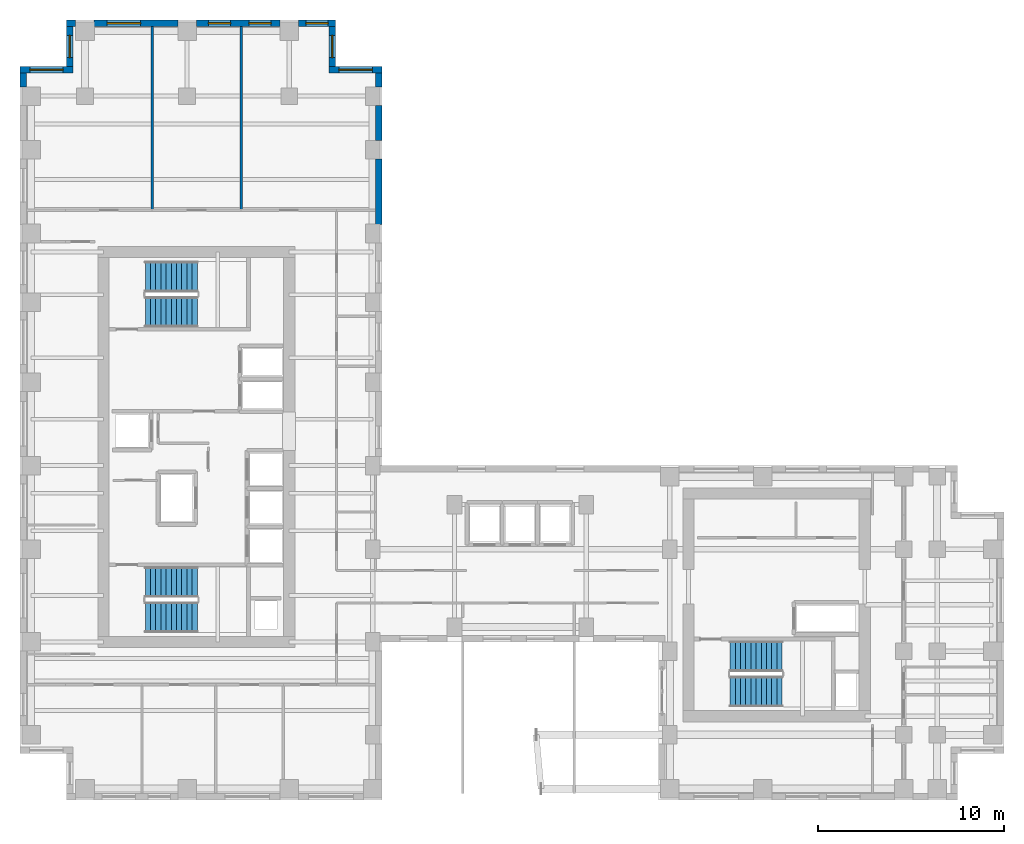
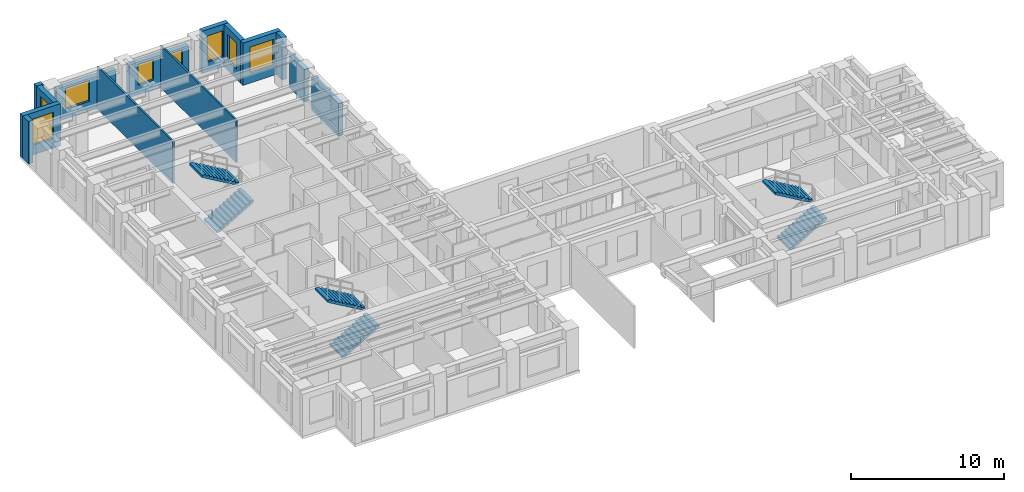
# One storey, part 11 of 13: 14 walls, 8 windows, 6 stair flights, 8 openings, 3 elements without a shape of their own.
"""IFC4 building model written with IfcOpenShell, lengths in metres."""

from ifc_helpers import new_model, si_unit, direction, frame, frame_2d, origin, place, context, subcontext, project, spatial, polyline, rectangle, outline, extrude, source, transform, mapped, material, layer, layer_set, type_object, element, fill, aggregate, save


model = new_model("IFC4")

# Units and contexts
model_context = context("Model", 3, precision=1e-05, world=origin(), true_north=direction((0.0, 1.0)))
body_context = subcontext(model_context, "Body", "Model", "MODEL_VIEW")
ifc_project = project(units=[si_unit("LENGTHUNIT", "METRE"), si_unit("AREAUNIT", "SQUARE_METRE"), si_unit("VOLUMEUNIT", "CUBIC_METRE"), si_unit("PLANEANGLEUNIT", "RADIAN"), si_unit("MASSUNIT", "GRAM", prefix="KILO")], contexts=[model_context])

# Site, building, storey
site_placement = place(None, origin())
site = spatial("IfcSite", under=ifc_project, at=site_placement, CompositionType="ELEMENT")
building_placement = place(site_placement, origin())
building = spatial("IfcBuilding", under=site, at=building_placement, Name="Kharzan Plaza Tower", CompositionType="ELEMENT")
storey_placement = place(building_placement, frame((0.0, 0.0, 175.5)))
storey = spatial("IfcBuildingStorey", under=building, at=storey_placement, Name="L47", CompositionType="ELEMENT", Elevation=175.5)

# Wall, opening, window
ifc_material_1 = material(Name="Concrete C40/50", Category="concrete")
ifc_layer_1 = layer(ifc_material_1, 0.35009765625)
ifc_layer_set_1 = layer_set([ifc_layer_1], Name="Concrete C40/50")
wall_type_1 = type_object("IfcWallType", Name="WL-EXT-MAS-Z3", PredefinedType="SOLIDWALL", material=ifc_layer_set_1)
wall_1_placement = place(storey_placement, frame((19.5, 39.324951171875, 0.0), z_axis=(0.0, 0.0, 1.0), x_axis=(-1.0, 0.0, 0.0)))
wall_1 = element("IfcWall", 1, at=wall_1_placement, inside=storey, type_object=wall_type_1, Name="L47 Masonry-Frame Exterior Wall 01", PredefinedType="SOLIDWALL", context=body_context, shape_type="SweptSolid", body=[
    extrude(rectangle(XDim=2.85009765625, YDim=0.35009765625, at=frame_2d((1.425048828125, 0.0))), origin(), (0.0, 0.0, 1.0), 3.385009765625),
])
opening_1_placement = place(wall_1_placement, frame((0.52490234375, 0.0, 0.780029296875)))
opening_1 = element("IfcOpeningElement", 2, at=opening_1_placement, cuts=wall_1, Name="Opening W1", PredefinedType="OPENING", context=body_context, shape_type="SweptSolid", body=[
    extrude(rectangle(XDim=1.800048828125, YDim=2.10009765625, at=frame_2d((0.89990234375, 1.050048828125))), frame((0.0, 0.18505859375, 0.0), z_axis=(0.0, -1.0, 0.0), x_axis=(1.0, 0.0, 0.0)), (0.0, 0.0, 1.0), 0.3701171875),
])
ifc_material_2 = material(Name="Low-E Double Glazing", Category="glass")
window_type_1 = type_object("IfcWindowType", Name="WN-REC-1800x2100", PartitioningType="SINGLE_PANEL", PredefinedType="WINDOW", material=ifc_material_2)
shared_shape_1 = source(origin(), body_context, "Body", "SweptSolid", [
    extrude(rectangle(XDim=1.800048828125, YDim=2.10009765625, at=frame_2d((0.89990234375, 1.050048828125))), frame((0.0, 0.030029296875, 0.0), z_axis=(0.0, -1.0, 0.0), x_axis=(1.0, 0.0, 0.0)), (0.0, 0.0, 1.0), 0.06005859375),
])
window_1_placement = place(opening_1_placement, origin())
window_1 = element("IfcWindow", 3, at=window_1_placement, inside=storey, type_object=window_type_1, Name="L47 Recessed Solar-Control Window 01-1", OverallHeight=2.10009765625, OverallWidth=1.800048828125, PartitioningType="SINGLE_PANEL", PredefinedType="WINDOW", context=body_context, shape_type="MappedRepresentation", body=[
    mapped(shared_shape_1, transform((0.0, 0.0, 0.0), x_axis=(1.0, 0.0, 0.0), y_axis=(0.0, 1.0, 0.0), z_axis=(0.0, 0.0, 1.0))),
])
fill(opening_1, window_1)

wall_2_placement = place(storey_placement, frame((16.824951171875, 39.498046875, 0.0), z_axis=(0.0, 0.0, 1.0), x_axis=(0.0, 1.0, 0.0)))
wall_2 = element("IfcWall", 4, at=wall_2_placement, inside=storey, type_object=wall_type_1, Name="L47 Masonry-Frame Exterior Wall 02", PredefinedType="SOLIDWALL", context=body_context, shape_type="SweptSolid", body=[
    extrude(rectangle(XDim=2.154052734375, YDim=0.35009765625, at=frame_2d((1.0771484375, 0.0))), origin(), (0.0, 0.0, 1.0), 3.385009765625),
])
opening_2_placement = place(wall_2_placement, frame((0.47705078125, 0.0, 0.780029296875)))
opening_2 = element("IfcOpeningElement", 5, at=opening_2_placement, cuts=wall_2, Name="Opening W3", PredefinedType="OPENING", context=body_context, shape_type="SweptSolid", body=[
    extrude(rectangle(XDim=1.199951171875, YDim=2.10009765625, at=frame_2d((0.60009765625, 1.050048828125))), frame((0.0, 0.18505859375, 0.0), z_axis=(0.0, -1.0, 0.0), x_axis=(1.0, 0.0, 0.0)), (0.0, 0.0, 1.0), 0.3701171875),
])
window_type_2 = type_object("IfcWindowType", Name="WN-REC-1200x2100", PartitioningType="SINGLE_PANEL", PredefinedType="WINDOW", material=ifc_material_2)
shared_shape_2 = source(origin(), body_context, "Body", "SweptSolid", [
    extrude(rectangle(XDim=1.199951171875, YDim=2.10009765625, at=frame_2d((0.60009765625, 1.050048828125))), frame((0.0, 0.030029296875, 0.0), z_axis=(0.0, -1.0, 0.0), x_axis=(1.0, 0.0, 0.0)), (0.0, 0.0, 1.0), 0.06005859375),
])
window_2_placement = place(opening_2_placement, origin())
window_2 = element("IfcWindow", 6, at=window_2_placement, inside=storey, type_object=window_type_2, Name="L47 Recessed Solar-Control Window 02-1", OverallHeight=2.10009765625, OverallWidth=1.199951171875, PartitioningType="SINGLE_PANEL", PredefinedType="WINDOW", context=body_context, shape_type="MappedRepresentation", body=[
    mapped(shared_shape_2, transform((0.0, 0.0, 0.0), x_axis=(1.0, 0.0, 0.0), y_axis=(0.0, 1.0, 0.0), z_axis=(0.0, 0.0, 1.0))),
])
fill(opening_2, window_2)

wall_3_placement = place(storey_placement, frame((17.0, 41.824951171875, 0.0), z_axis=(0.0, 0.0, 1.0), x_axis=(-1.0, 0.0, 0.0)))
wall_3 = element("IfcWall", 7, at=wall_3_placement, inside=storey, type_object=wall_type_1, Name="L47 Masonry-Frame Exterior Wall 03", PredefinedType="SOLIDWALL", context=body_context, shape_type="SweptSolid", body=[
    extrude(rectangle(XDim=2.001953125, YDim=0.35009765625, at=frame_2d((1.0009765625, 0.0))), origin(), (0.0, 0.0, 1.0), 3.385009765625),
])
opening_3_placement = place(wall_3_placement, frame((0.40087890625, 0.0, 0.780029296875)))
opening_3 = element("IfcOpeningElement", 8, at=opening_3_placement, cuts=wall_3, Name="Opening W3", PredefinedType="OPENING", context=body_context, shape_type="SweptSolid", body=[
    extrude(rectangle(XDim=1.199951171875, YDim=2.10009765625, at=frame_2d((0.60009765625, 1.050048828125))), frame((0.0, 0.18505859375, 0.0), z_axis=(0.0, -1.0, 0.0), x_axis=(1.0, 0.0, 0.0)), (0.0, 0.0, 1.0), 0.3701171875),
])
window_3_placement = place(opening_3_placement, origin())
window_3 = element("IfcWindow", 9, at=window_3_placement, inside=storey, type_object=window_type_2, Name="L47 Recessed Solar-Control Window 03-1", OverallHeight=2.10009765625, OverallWidth=1.199951171875, PartitioningType="SINGLE_PANEL", PredefinedType="WINDOW", context=body_context, shape_type="MappedRepresentation", body=[
    mapped(shared_shape_2, transform((0.0, 0.0, 0.0), x_axis=(1.0, 0.0, 0.0), y_axis=(0.0, 1.0, 0.0), z_axis=(0.0, 0.0, 1.0))),
])
fill(opening_3, window_3)

# Wall, openings, windows
wall_4_placement = place(storey_placement, frame((14.001953125, 41.824951171875, 0.0), z_axis=(0.0, 0.0, 1.0), x_axis=(-1.0, 0.0, 0.0)))
wall_4 = element("IfcWall", 10, at=wall_4_placement, inside=storey, type_object=wall_type_1, Name="L47 Masonry-Frame Exterior Wall 04", PredefinedType="SOLIDWALL", context=body_context, shape_type="SweptSolid", body=[
    extrude(rectangle(XDim=4.50390625, YDim=0.35009765625, at=frame_2d((2.251953125, 0.0))), origin(), (0.0, 0.0, 1.0), 2.612060546875),
])
opening_4_placement = place(wall_4_placement, frame((0.47802734375, 0.0, 0.780029296875)))
opening_4 = element("IfcOpeningElement", 11, at=opening_4_placement, cuts=wall_4, Name="Opening W3", PredefinedType="OPENING", context=body_context, shape_type="SweptSolid", body=[
    extrude(rectangle(XDim=1.199951171875, YDim=1.652099609375, at=frame_2d((0.60009765625, 0.826171875))), frame((0.0, 0.18505859375, 0.0), z_axis=(0.0, -1.0, 0.0), x_axis=(1.0, 0.0, 0.0)), (0.0, 0.0, 1.0), 0.3701171875),
])
opening_5_placement = place(wall_4_placement, frame((2.659912109375, 0.0, 0.780029296875)))
opening_5 = element("IfcOpeningElement", 12, at=opening_5_placement, cuts=wall_4, Name="Opening W3", PredefinedType="OPENING", context=body_context, shape_type="SweptSolid", body=[
    extrude(rectangle(XDim=1.199951171875, YDim=1.652099609375, at=frame_2d((0.60009765625, 0.826171875))), frame((0.0, 0.18505859375, 0.0), z_axis=(0.0, -1.0, 0.0), x_axis=(1.0, 0.0, 0.0)), (0.0, 0.0, 1.0), 0.3701171875),
])
shared_shape_3 = source(origin(), body_context, "Body", "SweptSolid", [
    extrude(rectangle(XDim=1.199951171875, YDim=1.652099609375, at=frame_2d((0.60009765625, 0.826171875))), frame((0.0, 0.030029296875, 0.0), z_axis=(0.0, -1.0, 0.0), x_axis=(1.0, 0.0, 0.0)), (0.0, 0.0, 1.0), 0.06005859375),
])
window_4_placement = place(opening_4_placement, origin())
window_4 = element("IfcWindow", 13, at=window_4_placement, inside=storey, type_object=window_type_2, Name="L47 Recessed Solar-Control Window 04-1", OverallHeight=1.652099609375, OverallWidth=1.199951171875, PartitioningType="SINGLE_PANEL", PredefinedType="WINDOW", context=body_context, shape_type="MappedRepresentation", body=[
    mapped(shared_shape_3, transform((0.0, 0.0, 0.0), x_axis=(1.0, 0.0, 0.0), y_axis=(0.0, 1.0, 0.0), z_axis=(0.0, 0.0, 1.0))),
])
fill(opening_4, window_4)
window_5_placement = place(opening_5_placement, origin())
window_5 = element("IfcWindow", 14, at=window_5_placement, inside=storey, type_object=window_type_2, Name="L47 Recessed Solar-Control Window 04-2", OverallHeight=1.652099609375, OverallWidth=1.199951171875, PartitioningType="SINGLE_PANEL", PredefinedType="WINDOW", context=body_context, shape_type="MappedRepresentation", body=[
    mapped(shared_shape_3, transform((0.0, 0.0, 0.0), x_axis=(1.0, 0.0, 0.0), y_axis=(0.0, 1.0, 0.0), z_axis=(0.0, 0.0, 1.0))),
])
fill(opening_5, window_5)

# Wall, opening, window
wall_5_placement = place(storey_placement, frame((8.501953125, 41.824951171875, 0.0), z_axis=(0.0, 0.0, 1.0), x_axis=(-1.0, 0.0, 0.0)))
wall_5 = element("IfcWall", 15, at=wall_5_placement, inside=storey, type_object=wall_type_1, Name="L47 Masonry-Frame Exterior Wall 05", PredefinedType="SOLIDWALL", context=body_context, shape_type="SweptSolid", body=[
    extrude(rectangle(XDim=4.50390625, YDim=0.35009765625, at=frame_2d((2.251953125, 0.0))), origin(), (0.0, 0.0, 1.0), 2.612060546875),
])
opening_6_placement = place(wall_5_placement, frame((2.007568359375, 0.0, 0.780029296875)))
opening_6 = element("IfcOpeningElement", 16, at=opening_6_placement, cuts=wall_5, Name="Opening W1", PredefinedType="OPENING", context=body_context, shape_type="SweptSolid", body=[
    extrude(rectangle(XDim=1.800048828125, YDim=1.652099609375, at=frame_2d((0.89990234375, 0.826171875))), frame((0.0, 0.18505859375, 0.0), z_axis=(0.0, -1.0, 0.0), x_axis=(1.0, 0.0, 0.0)), (0.0, 0.0, 1.0), 0.3701171875),
])
shared_shape_4 = source(origin(), body_context, "Body", "SweptSolid", [
    extrude(rectangle(XDim=1.800048828125, YDim=1.652099609375, at=frame_2d((0.89990234375, 0.826171875))), frame((0.0, 0.030029296875, 0.0), z_axis=(0.0, -1.0, 0.0), x_axis=(1.0, 0.0, 0.0)), (0.0, 0.0, 1.0), 0.06005859375),
])
window_6_placement = place(opening_6_placement, origin())
window_6 = element("IfcWindow", 17, at=window_6_placement, inside=storey, type_object=window_type_1, Name="L47 Recessed Solar-Control Window 05-1", OverallHeight=1.652099609375, OverallWidth=1.800048828125, PartitioningType="SINGLE_PANEL", PredefinedType="WINDOW", context=body_context, shape_type="MappedRepresentation", body=[
    mapped(shared_shape_4, transform((0.0, 0.0, 0.0), x_axis=(1.0, 0.0, 0.0), y_axis=(0.0, 1.0, 0.0), z_axis=(0.0, 0.0, 1.0))),
])
fill(opening_6, window_6)

wall_6_placement = place(storey_placement, frame((2.675048828125, 41.652099609375, 0.0), z_axis=(0.0, 0.0, 1.0), x_axis=(0.0, -1.0, 0.0)))
wall_6 = element("IfcWall", 18, at=wall_6_placement, inside=storey, type_object=wall_type_1, Name="L47 Masonry-Frame Exterior Wall 07", PredefinedType="SOLIDWALL", context=body_context, shape_type="SweptSolid", body=[
    extrude(rectangle(XDim=2.154052734375, YDim=0.35009765625, at=frame_2d((1.0771484375, 0.0))), origin(), (0.0, 0.0, 1.0), 3.385009765625),
])
opening_7_placement = place(wall_6_placement, frame((0.47705078125, 0.0, 0.780029296875)))
opening_7 = element("IfcOpeningElement", 19, at=opening_7_placement, cuts=wall_6, Name="Opening W3", PredefinedType="OPENING", context=body_context, shape_type="SweptSolid", body=[
    extrude(rectangle(XDim=1.199951171875, YDim=2.10009765625, at=frame_2d((0.60009765625, 1.050048828125))), frame((0.0, 0.18505859375, 0.0), z_axis=(0.0, -1.0, 0.0), x_axis=(1.0, 0.0, 0.0)), (0.0, 0.0, 1.0), 0.3701171875),
])
window_7_placement = place(opening_7_placement, origin())
window_7 = element("IfcWindow", 20, at=window_7_placement, inside=storey, type_object=window_type_2, Name="L47 Recessed Solar-Control Window 07-1", OverallHeight=2.10009765625, OverallWidth=1.199951171875, PartitioningType="SINGLE_PANEL", PredefinedType="WINDOW", context=body_context, shape_type="MappedRepresentation", body=[
    mapped(shared_shape_2, transform((0.0, 0.0, 0.0), x_axis=(1.0, 0.0, 0.0), y_axis=(0.0, 1.0, 0.0), z_axis=(0.0, 0.0, 1.0))),
])
fill(opening_7, window_7)

wall_7_placement = place(storey_placement, frame((2.85009765625, 39.324951171875, 0.0), z_axis=(0.0, 0.0, 1.0), x_axis=(-1.0, 0.0, 0.0)))
wall_7 = element("IfcWall", 21, at=wall_7_placement, inside=storey, type_object=wall_type_1, Name="L47 Masonry-Frame Exterior Wall 08", PredefinedType="SOLIDWALL", context=body_context, shape_type="SweptSolid", body=[
    extrude(rectangle(XDim=2.85009765625, YDim=0.35009765625, at=frame_2d((1.425048828125, 0.0))), origin(), (0.0, 0.0, 1.0), 3.385009765625),
])
opening_8_placement = place(wall_7_placement, frame((0.52490234375, 0.0, 0.780029296875)))
opening_8 = element("IfcOpeningElement", 22, at=opening_8_placement, cuts=wall_7, Name="Opening W1", PredefinedType="OPENING", context=body_context, shape_type="SweptSolid", body=[
    extrude(rectangle(XDim=1.800048828125, YDim=2.10009765625, at=frame_2d((0.89990234375, 1.050048828125))), frame((0.0, 0.18505859375, 0.0), z_axis=(0.0, -1.0, 0.0), x_axis=(1.0, 0.0, 0.0)), (0.0, 0.0, 1.0), 0.3701171875),
])
window_8_placement = place(opening_8_placement, origin())
window_8 = element("IfcWindow", 23, at=window_8_placement, inside=storey, type_object=window_type_1, Name="L47 Recessed Solar-Control Window 08-1", OverallHeight=2.10009765625, OverallWidth=1.800048828125, PartitioningType="SINGLE_PANEL", PredefinedType="WINDOW", context=body_context, shape_type="MappedRepresentation", body=[
    mapped(shared_shape_1, transform((0.0, 0.0, 0.0), x_axis=(1.0, 0.0, 0.0), y_axis=(0.0, 1.0, 0.0), z_axis=(0.0, 0.0, 1.0))),
])
fill(opening_8, window_8)

# Walls
shared_shape_5 = source(origin(), body_context, "Body", "SweptSolid", [
    extrude(rectangle(XDim=0.501953125, YDim=0.35009765625, at=frame_2d((0.2509765625, 0.0))), origin(), (0.0, 0.0, 1.0), 3.385009765625),
])
wall_8_placement = place(storey_placement, frame((3.001953125, 41.824951171875, 0.0), z_axis=(0.0, 0.0, 1.0), x_axis=(-1.0, 0.0, 0.0)))
element("IfcWall", 24, at=wall_8_placement, inside=storey, type_object=wall_type_1, Name="L47 Masonry-Frame Exterior Wall 06", PredefinedType="SOLIDWALL", context=body_context, shape_type="MappedRepresentation", body=[
    mapped(shared_shape_5, transform((0.0, 0.0, 0.0), x_axis=(1.0, 0.0, 0.0), y_axis=(0.0, 1.0, 0.0), z_axis=(0.0, 0.0, 1.0))),
])
shared_shape_6 = source(origin(), body_context, "Body", "SweptSolid", [
    extrude(rectangle(XDim=0.754150390625, YDim=0.35009765625, at=frame_2d((0.376953125, 0.0))), origin(), (0.0, 0.0, 1.0), 3.385009765625),
])
for number, where, z_axis, x_axis, name in (
    (25, (0.175048828125, 39.152099609375, 0.0), (0.0, 0.0, 1.0), (0.0, -1.0, 0.0), "L47 Masonry-Frame Exterior Wall 09"),
    (26, (19.324951171875, 38.39794921875, 0.0), (0.0, 0.0, 1.0), (0.0, 1.0, 0.0), "L47 Masonry-Frame Exterior Wall 53"),
):
    element("IfcWall", number, at=place(storey_placement, frame(where, z_axis=z_axis, x_axis=x_axis)), inside=storey, type_object=wall_type_1, Name=name, PredefinedType="SOLIDWALL", context=body_context, shape_type="MappedRepresentation", body=[
        mapped(shared_shape_6, transform((0.0, 0.0, 0.0), x_axis=(1.0, 0.0, 0.0), y_axis=(0.0, 1.0, 0.0), z_axis=(0.0, 0.0, 1.0))),
    ])
shared_shape_7 = source(origin(), body_context, "Body", "SweptSolid", [
    extrude(rectangle(XDim=1.904052734375, YDim=0.35009765625, at=frame_2d((0.9521484375, 0.0))), origin(), (0.0, 0.0, 1.0), 2.612060546875),
])
wall_9_placement = place(storey_placement, frame((19.324951171875, 35.498046875, 0.0), z_axis=(0.0, 0.0, 1.0), x_axis=(0.0, 1.0, 0.0)))
element("IfcWall", 27, at=wall_9_placement, inside=storey, type_object=wall_type_1, Name="L47 Masonry-Frame Exterior Wall 52", PredefinedType="SOLIDWALL", context=body_context, shape_type="MappedRepresentation", body=[
    mapped(shared_shape_7, transform((0.0, 0.0, 0.0), x_axis=(1.0, 0.0, 0.0), y_axis=(0.0, 1.0, 0.0), z_axis=(0.0, 0.0, 1.0))),
])
shared_shape_8 = source(origin(), body_context, "Body", "SweptSolid", [
    extrude(rectangle(XDim=3.50390625, YDim=0.35009765625, at=frame_2d((1.751953125, 0.0))), origin(), (0.0, 0.0, 1.0), 2.612060546875),
])
wall_10_placement = place(storey_placement, frame((19.324951171875, 30.998046875, 0.0), z_axis=(0.0, 0.0, 1.0), x_axis=(0.0, 1.0, 0.0)))
element("IfcWall", 28, at=wall_10_placement, inside=storey, type_object=wall_type_1, Name="L47 Masonry-Frame Exterior Wall 51", PredefinedType="SOLIDWALL", context=body_context, shape_type="MappedRepresentation", body=[
    mapped(shared_shape_8, transform((0.0, 0.0, 0.0), x_axis=(1.0, 0.0, 0.0), y_axis=(0.0, 1.0, 0.0), z_axis=(0.0, 0.0, 1.0))),
])
ifc_material_3 = material(Name="Fire-Rated Gypsum Board Partition", Category="gypsum")
ifc_layer_2 = layer(ifc_material_3, 0.125)
ifc_layer_set_2 = layer_set([ifc_layer_2], Name="Fire-Rated Gypsum Board Partition")
wall_type_2 = type_object("IfcWallType", Name="WL-INT-PART-125", PredefinedType="PARTITIONING", material=ifc_layer_set_2)
shared_shape_9 = source(origin(), body_context, "Body", "SweptSolid", [
    extrude(rectangle(XDim=9.89794921875, YDim=0.125, at=frame_2d((4.948974609375, 0.0))), origin(), (0.0, 0.0, 1.0), 3.385009765625),
])
for number, where, z_axis, x_axis, name in (
    (29, (7.12109375, 31.75, 0.0), (0.0, 0.0, 1.0), (0.0, 1.0, 0.0), "L47 Interior Partition SH-NV-1"),
    (30, (11.916015625, 31.75, 0.0), (0.0, 0.0, 1.0), (0.0, 1.0, 0.0), "L47 Interior Partition SH-NV-2"),
):
    element("IfcWall", number, at=place(storey_placement, frame(where, z_axis=z_axis, x_axis=x_axis)), inside=storey, type_object=wall_type_2, Name=name, PredefinedType="PARTITIONING", context=body_context, shape_type="MappedRepresentation", body=[
        mapped(shared_shape_9, transform((0.0, 0.0, 0.0), x_axis=(1.0, 0.0, 0.0), y_axis=(0.0, 1.0, 0.0), z_axis=(0.0, 0.0, 1.0))),
    ])

# Stair, stair flights
stair_type_1 = type_object("IfcStairType", Name="STR-ST-1", PredefinedType="HALF_TURN_STAIR", material=ifc_material_1)
stair_1_placement = place(storey_placement, origin())
stair_1 = element("IfcStair", 31, at=stair_1_placement, inside=storey, type_object=stair_type_1, Name="L47 Protected Exit Stair ST-1", PredefinedType="HALF_TURN_STAIR")
stair_flight_type = type_object("IfcStairFlightType", Name="SFL-1650-R173", PredefinedType="STRAIGHT", material=ifc_material_1)
shared_shape_10 = source(origin(), body_context, "Body", "SweptSolid", [
    extrude(outline(polyline([(-0.0029296875, -0.011962890625), (-0.0029296875, 0.0), (0.0, 0.0), (0.0, 0.16357421875), (0.280029296875, 0.16357421875), (0.280029296875, 0.3271484375), (0.56005859375, 0.3271484375), (0.56005859375, 0.49072265625), (0.840087890625, 0.49072265625), (0.840087890625, 0.654296875), (1.1201171875, 0.654296875), (1.1201171875, 0.81787109375), (1.400146484375, 0.81787109375), (1.400146484375, 0.9814453125), (1.68017578125, 0.9814453125), (1.68017578125, 1.14501953125), (1.960205078125, 1.14501953125), (1.960205078125, 1.30859375), (2.240234375, 1.30859375), (2.240234375, 1.47216796875), (2.520263671875, 1.47216796875), (2.520263671875, 1.6357421875), (2.80029296875, 1.6357421875), (2.80029296875, 1.79931640625), (2.80029296875, 1.462158203125), (0.297119140625, 0.0), (0.297119140625, -0.011962890625), (-0.0029296875, -0.011962890625)])), frame((0.0, 0.824951171875, 0.0), z_axis=(0.0, -1.0, 0.0), x_axis=(1.0, 0.0, 0.0)), (0.0, 0.0, 1.0), 1.64990234375),
])
stair_flight_1_placement = place(storey_placement, frame((6.75, 9.824951171875, 0.0), z_axis=(0.0, 0.0, 1.0), x_axis=(1.0, 0.0, 0.0)))
stair_flight_1 = element("IfcStairFlight", 32, at=stair_flight_1_placement, type_object=stair_flight_type, Name="ST-1 flight 1", NumberOfRisers=11, NumberOfTreads=10, PredefinedType="STRAIGHT", RiserHeight=0.163636364, TreadLength=0.28, context=body_context, shape_type="MappedRepresentation", body=[
    mapped(shared_shape_10, transform((0.0, 0.0, 0.0), x_axis=(1.0, 0.0, 0.0), y_axis=(0.0, 1.0, 0.0), z_axis=(0.0, 0.0, 1.0))),
])
stair_flight_2_placement = place(storey_placement, frame((9.550048828125, 11.72509765625, 1.800048828125), z_axis=(0.0, 0.0, 1.0), x_axis=(-1.0, 0.0, 0.0)))
stair_flight_2 = element("IfcStairFlight", 33, at=stair_flight_2_placement, type_object=stair_flight_type, Name="ST-1 flight 2", NumberOfRisers=11, NumberOfTreads=10, PredefinedType="STRAIGHT", RiserHeight=0.163636364, TreadLength=0.28, context=body_context, shape_type="MappedRepresentation", body=[
    mapped(shared_shape_10, transform((0.0, 0.0, 0.0), x_axis=(1.0, 0.0, 0.0), y_axis=(0.0, 1.0, 0.0), z_axis=(0.0, 0.0, 1.0))),
])
aggregate(stair_1, [stair_flight_1, stair_flight_2])

stair_type_2 = type_object("IfcStairType", Name="STR-ST-2", PredefinedType="HALF_TURN_STAIR", material=ifc_material_1)
stair_2_placement = place(storey_placement, origin())
stair_2 = element("IfcStair", 34, at=stair_2_placement, inside=storey, type_object=stair_type_2, Name="L47 Protected Exit Stair ST-2", PredefinedType="HALF_TURN_STAIR")
stair_flight_3_placement = place(storey_placement, frame((6.75, 26.27490234375, 0.0), z_axis=(0.0, 0.0, 1.0), x_axis=(1.0, 0.0, 0.0)))
stair_flight_3 = element("IfcStairFlight", 35, at=stair_flight_3_placement, type_object=stair_flight_type, Name="ST-2 flight 1", NumberOfRisers=11, NumberOfTreads=10, PredefinedType="STRAIGHT", RiserHeight=0.163636364, TreadLength=0.28, context=body_context, shape_type="MappedRepresentation", body=[
    mapped(shared_shape_10, transform((0.0, 0.0, 0.0), x_axis=(1.0, 0.0, 0.0), y_axis=(0.0, 1.0, 0.0), z_axis=(0.0, 0.0, 1.0))),
])
stair_flight_4_placement = place(storey_placement, frame((9.550048828125, 28.175048828125, 1.800048828125), z_axis=(0.0, 0.0, 1.0), x_axis=(-1.0, 0.0, 0.0)))
stair_flight_4 = element("IfcStairFlight", 36, at=stair_flight_4_placement, type_object=stair_flight_type, Name="ST-2 flight 2", NumberOfRisers=11, NumberOfTreads=10, PredefinedType="STRAIGHT", RiserHeight=0.163636364, TreadLength=0.28, context=body_context, shape_type="MappedRepresentation", body=[
    mapped(shared_shape_10, transform((0.0, 0.0, 0.0), x_axis=(1.0, 0.0, 0.0), y_axis=(0.0, 1.0, 0.0), z_axis=(0.0, 0.0, 1.0))),
])
aggregate(stair_2, [stair_flight_3, stair_flight_4])

stair_type_3 = type_object("IfcStairType", Name="STR-ST-3", PredefinedType="HALF_TURN_STAIR", material=ifc_material_1)
stair_3_placement = place(storey_placement, origin())
stair_3 = element("IfcStair", 37, at=stair_3_placement, inside=storey, type_object=stair_type_3, Name="L47 Protected Exit Stair ST-3", PredefinedType="HALF_TURN_STAIR")
stair_flight_5_placement = place(storey_placement, frame((38.25, 5.824951171875, 0.0), z_axis=(0.0, 0.0, 1.0), x_axis=(1.0, 0.0, 0.0)))
stair_flight_5 = element("IfcStairFlight", 38, at=stair_flight_5_placement, type_object=stair_flight_type, Name="ST-3 flight 1", NumberOfRisers=11, NumberOfTreads=10, PredefinedType="STRAIGHT", RiserHeight=0.163636364, TreadLength=0.28, context=body_context, shape_type="MappedRepresentation", body=[
    mapped(shared_shape_10, transform((0.0, 0.0, 0.0), x_axis=(1.0, 0.0, 0.0), y_axis=(0.0, 1.0, 0.0), z_axis=(0.0, 0.0, 1.0))),
])
stair_flight_6_placement = place(storey_placement, frame((41.050048828125, 7.72509765625, 1.800048828125), z_axis=(0.0, 0.0, 1.0), x_axis=(-1.0, 0.0, 0.0)))
stair_flight_6 = element("IfcStairFlight", 39, at=stair_flight_6_placement, type_object=stair_flight_type, Name="ST-3 flight 2", NumberOfRisers=11, NumberOfTreads=10, PredefinedType="STRAIGHT", RiserHeight=0.163636364, TreadLength=0.28, context=body_context, shape_type="MappedRepresentation", body=[
    mapped(shared_shape_10, transform((0.0, 0.0, 0.0), x_axis=(1.0, 0.0, 0.0), y_axis=(0.0, 1.0, 0.0), z_axis=(0.0, 0.0, 1.0))),
])
aggregate(stair_3, [stair_flight_5, stair_flight_6])

save(model, "model.ifc")
